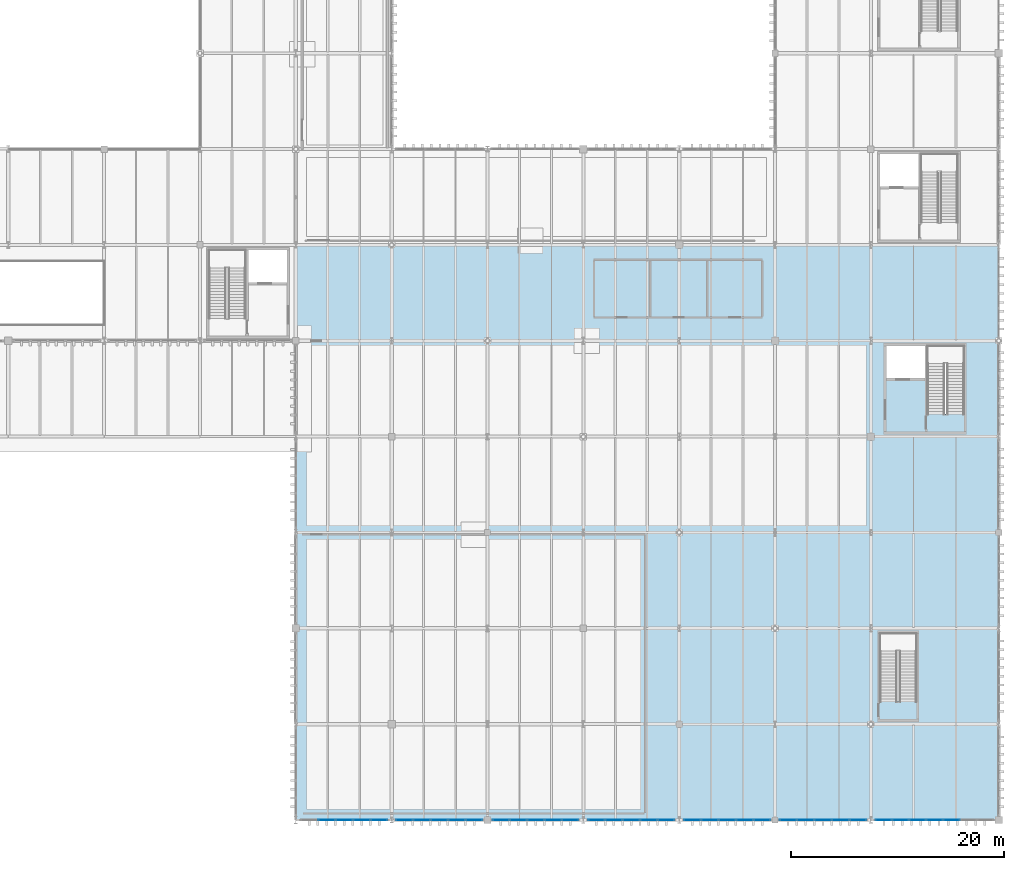
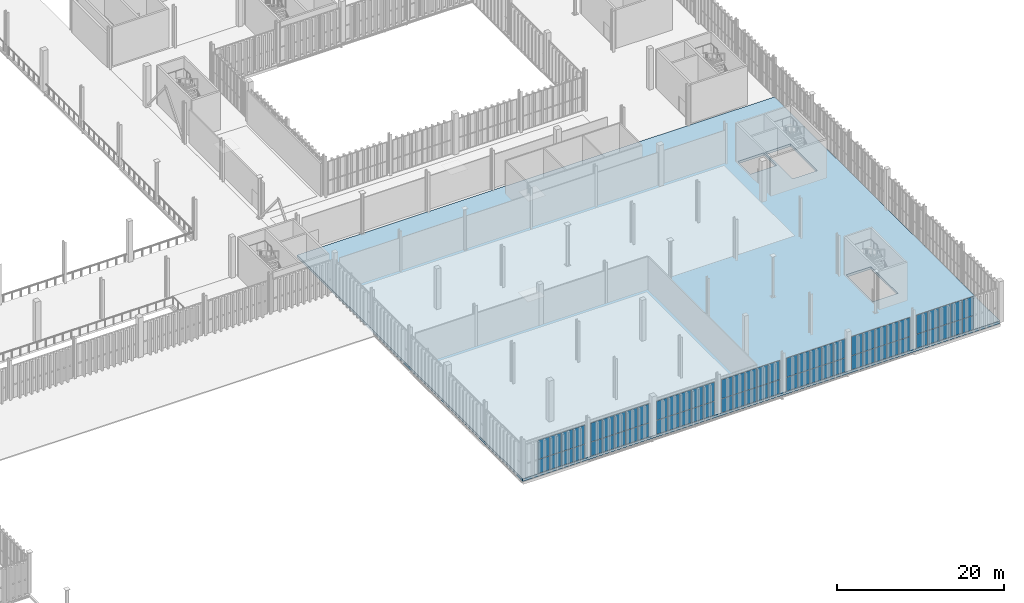
# One storey, part 160 of 211: 68 plates, 1 slab, 7 elements without a shape of their own.
"""IFC4 building model written with IfcOpenShell, lengths in metres."""

from ifc_helpers import new_model, si_unit, direction, frame, origin, origin_2d, place, context, subcontext, project, spatial, polyline, rectangle, outline, extrude, material, layer, layer_set, type_object, element, aggregate, save


model = new_model("IFC4")

# Units and contexts
model_context = context("Model", 3, precision=1e-05, world=origin(), true_north=direction((0.0, 1.0)))
body_context = subcontext(model_context, "Body", "Model", "MODEL_VIEW")
ifc_project = project(units=[si_unit("LENGTHUNIT", "METRE"), si_unit("AREAUNIT", "SQUARE_METRE"), si_unit("VOLUMEUNIT", "CUBIC_METRE"), si_unit("PLANEANGLEUNIT", "RADIAN"), si_unit("MASSUNIT", "GRAM", prefix="KILO")], contexts=[model_context])

# Site, building, storey
site_placement = place(None, origin())
site = spatial("IfcSite", under=ifc_project, at=site_placement, CompositionType="ELEMENT")
building_placement = place(site_placement, origin())
building = spatial("IfcBuilding", under=site, at=building_placement, Name="Barlavento Convention Centre", CompositionType="ELEMENT")
storey_placement = place(building_placement, frame((0.0, 0.0, 6.0)))
storey = spatial("IfcBuildingStorey", under=building, at=storey_placement, Name="L01", CompositionType="ELEMENT", Elevation=6.0)

# Curtain wall, plates
ifc_material_1 = material(Name="Powder-coated aluminium and Low-E glass", Category="aluminium")
ifc_layer_1 = layer(ifc_material_1, 0.18994140625)
ifc_layer_set_1 = layer_set([ifc_layer_1], Name="ARC-CW-BALL-L01")
curtain_wall_type = type_object("IfcCurtainWallType", Name="ARC-CW-BALL-L01", PredefinedType="NOTDEFINED", material=ifc_layer_set_1)
curtain_wall_1_placement = place(storey_placement, origin())
curtain_wall_1 = element("IfcCurtainWall", 1, at=curtain_wall_1_placement, inside=storey, type_object=curtain_wall_type, Name="L01 unitised curtain wall CW06", PredefinedType="NOTDEFINED")
ifc_material_2 = material(Name="Double-silver Low-E acoustic laminated glass", Category="glass")
ifc_layer_2 = layer(ifc_material_2, 0.031982421875)
ifc_layer_set_2 = layer_set([ifc_layer_2], Name="ARC-CWP-GLZ32")
plate_type = type_object("IfcPlateType", Name="ARC-CWP-GLZ32", PredefinedType="CURTAIN_PANEL", material=ifc_layer_set_2)
plate_1_placement = place(storey_placement, frame((128.89111328125, 0.0, 0.06494140625), z_axis=(0.0, 0.0, 1.0), x_axis=(1.0, 0.0, 0.0)))
plate_1 = element("IfcPlate", 2, at=plate_1_placement, type_object=plate_type, Name="CW06 panel 2.1", PredefinedType="CURTAIN_PANEL", context=body_context, shape_type="SweptSolid", body=[
    extrude(rectangle(XDim=1.57470703125, YDim=0.031982421875, at=origin_2d()), origin(), (0.0, 0.0, 1.0), 2.00244140625),
])
plate_2_placement = place(storey_placement, frame((128.89111328125, 0.0, 2.132568359375), z_axis=(0.0, 0.0, 1.0), x_axis=(1.0, 0.0, 0.0)))
plate_2 = element("IfcPlate", 3, at=plate_2_placement, type_object=plate_type, Name="CW06 panel 2.2", PredefinedType="CURTAIN_PANEL", context=body_context, shape_type="SweptSolid", body=[
    extrude(rectangle(XDim=1.57470703125, YDim=0.031982421875, at=origin_2d()), origin(), (0.0, 0.0, 1.0), 2.75244140625),
])
plate_3_placement = place(storey_placement, frame((130.535888671875, 0.0, 0.06494140625), z_axis=(0.0, 0.0, 1.0), x_axis=(1.0, 0.0, 0.0)))
plate_3 = element("IfcPlate", 4, at=plate_3_placement, type_object=plate_type, Name="CW06 panel 3.1", PredefinedType="CURTAIN_PANEL", context=body_context, shape_type="SweptSolid", body=[
    extrude(rectangle(XDim=1.57470703125, YDim=0.031982421875, at=origin_2d()), origin(), (0.0, 0.0, 1.0), 2.00244140625),
])
plate_4_placement = place(storey_placement, frame((130.535888671875, 0.0, 2.132568359375), z_axis=(0.0, 0.0, 1.0), x_axis=(1.0, 0.0, 0.0)))
plate_4 = element("IfcPlate", 5, at=plate_4_placement, type_object=plate_type, Name="CW06 panel 3.2", PredefinedType="CURTAIN_PANEL", context=body_context, shape_type="SweptSolid", body=[
    extrude(rectangle(XDim=1.57470703125, YDim=0.031982421875, at=origin_2d()), origin(), (0.0, 0.0, 1.0), 2.75244140625),
])
plate_5_placement = place(storey_placement, frame((132.180908203125, 0.0, 0.06494140625), z_axis=(0.0, 0.0, 1.0), x_axis=(1.0, 0.0, 0.0)))
plate_5 = element("IfcPlate", 6, at=plate_5_placement, type_object=plate_type, Name="CW06 panel 4.1", PredefinedType="CURTAIN_PANEL", context=body_context, shape_type="SweptSolid", body=[
    extrude(rectangle(XDim=1.57470703125, YDim=0.031982421875, at=origin_2d()), origin(), (0.0, 0.0, 1.0), 2.00244140625),
])
plate_6_placement = place(storey_placement, frame((132.180908203125, 0.0, 2.132568359375), z_axis=(0.0, 0.0, 1.0), x_axis=(1.0, 0.0, 0.0)))
plate_6 = element("IfcPlate", 7, at=plate_6_placement, type_object=plate_type, Name="CW06 panel 4.2", PredefinedType="CURTAIN_PANEL", context=body_context, shape_type="SweptSolid", body=[
    extrude(rectangle(XDim=1.57470703125, YDim=0.031982421875, at=origin_2d()), origin(), (0.0, 0.0, 1.0), 2.75244140625),
])
plate_7_placement = place(storey_placement, frame((133.80810546875, 0.0, 0.06494140625), z_axis=(0.0, 0.0, 1.0), x_axis=(1.0, 0.0, 0.0)))
plate_7 = element("IfcPlate", 8, at=plate_7_placement, type_object=plate_type, Name="CW06 panel 5.1", PredefinedType="CURTAIN_PANEL", context=body_context, shape_type="SweptSolid", body=[
    extrude(rectangle(XDim=1.539794921875, YDim=0.031982421875, at=origin_2d()), origin(), (0.0, 0.0, 1.0), 2.00244140625),
])
plate_8_placement = place(storey_placement, frame((133.80810546875, 0.0, 2.132568359375), z_axis=(0.0, 0.0, 1.0), x_axis=(1.0, 0.0, 0.0)))
plate_8 = element("IfcPlate", 9, at=plate_8_placement, type_object=plate_type, Name="CW06 panel 5.2", PredefinedType="CURTAIN_PANEL", context=body_context, shape_type="SweptSolid", body=[
    extrude(rectangle(XDim=1.539794921875, YDim=0.031982421875, at=origin_2d()), origin(), (0.0, 0.0, 1.0), 2.75244140625),
])
aggregate(curtain_wall_1, [plate_1, plate_2, plate_3, plate_4, plate_5, plate_6, plate_7, plate_8])

curtain_wall_2_placement = place(storey_placement, origin())
curtain_wall_2 = element("IfcCurtainWall", 10, at=curtain_wall_2_placement, inside=storey, type_object=curtain_wall_type, Name="L01 unitised curtain wall CW06", PredefinedType="NOTDEFINED")
plate_9_placement = place(storey_placement, frame((136.190185546875, 0.0, 0.06494140625), z_axis=(0.0, 0.0, 1.0), x_axis=(1.0, 0.0, 0.0)))
plate_9 = element("IfcPlate", 11, at=plate_9_placement, type_object=plate_type, Name="CW06 panel 1.1", PredefinedType="CURTAIN_PANEL", context=body_context, shape_type="SweptSolid", body=[
    extrude(rectangle(XDim=1.53662109375, YDim=0.031982421875, at=origin_2d()), origin(), (0.0, 0.0, 1.0), 2.00244140625),
])
plate_10_placement = place(storey_placement, frame((136.190185546875, 0.0, 2.132568359375), z_axis=(0.0, 0.0, 1.0), x_axis=(1.0, 0.0, 0.0)))
plate_10 = element("IfcPlate", 12, at=plate_10_placement, type_object=plate_type, Name="CW06 panel 1.2", PredefinedType="CURTAIN_PANEL", context=body_context, shape_type="SweptSolid", body=[
    extrude(rectangle(XDim=1.53662109375, YDim=0.031982421875, at=origin_2d()), origin(), (0.0, 0.0, 1.0), 2.75244140625),
])
plate_11_placement = place(storey_placement, frame((137.814453125, 0.0, 0.06494140625), z_axis=(0.0, 0.0, 1.0), x_axis=(1.0, 0.0, 0.0)))
plate_11 = element("IfcPlate", 13, at=plate_11_placement, type_object=plate_type, Name="CW06 panel 2.1", PredefinedType="CURTAIN_PANEL", context=body_context, shape_type="SweptSolid", body=[
    extrude(rectangle(XDim=1.571533203125, YDim=0.031982421875, at=origin_2d()), origin(), (0.0, 0.0, 1.0), 2.00244140625),
])
plate_12_placement = place(storey_placement, frame((137.814453125, 0.0, 2.132568359375), z_axis=(0.0, 0.0, 1.0), x_axis=(1.0, 0.0, 0.0)))
plate_12 = element("IfcPlate", 14, at=plate_12_placement, type_object=plate_type, Name="CW06 panel 2.2", PredefinedType="CURTAIN_PANEL", context=body_context, shape_type="SweptSolid", body=[
    extrude(rectangle(XDim=1.571533203125, YDim=0.031982421875, at=origin_2d()), origin(), (0.0, 0.0, 1.0), 2.75244140625),
])
plate_13_placement = place(storey_placement, frame((139.4560546875, 0.0, 0.06494140625), z_axis=(0.0, 0.0, 1.0), x_axis=(1.0, 0.0, 0.0)))
plate_13 = element("IfcPlate", 15, at=plate_13_placement, type_object=plate_type, Name="CW06 panel 3.1", PredefinedType="CURTAIN_PANEL", context=body_context, shape_type="SweptSolid", body=[
    extrude(rectangle(XDim=1.571533203125, YDim=0.031982421875, at=origin_2d()), origin(), (0.0, 0.0, 1.0), 2.00244140625),
])
plate_14_placement = place(storey_placement, frame((139.4560546875, 0.0, 2.132568359375), z_axis=(0.0, 0.0, 1.0), x_axis=(1.0, 0.0, 0.0)))
plate_14 = element("IfcPlate", 16, at=plate_14_placement, type_object=plate_type, Name="CW06 panel 3.2", PredefinedType="CURTAIN_PANEL", context=body_context, shape_type="SweptSolid", body=[
    extrude(rectangle(XDim=1.571533203125, YDim=0.031982421875, at=origin_2d()), origin(), (0.0, 0.0, 1.0), 2.75244140625),
])
plate_15_placement = place(storey_placement, frame((141.09765625, 0.0, 0.06494140625), z_axis=(0.0, 0.0, 1.0), x_axis=(1.0, 0.0, 0.0)))
plate_15 = element("IfcPlate", 17, at=plate_15_placement, type_object=plate_type, Name="CW06 panel 4.1", PredefinedType="CURTAIN_PANEL", context=body_context, shape_type="SweptSolid", body=[
    extrude(rectangle(XDim=1.571533203125, YDim=0.031982421875, at=origin_2d()), origin(), (0.0, 0.0, 1.0), 2.00244140625),
])
plate_16_placement = place(storey_placement, frame((141.09765625, 0.0, 2.132568359375), z_axis=(0.0, 0.0, 1.0), x_axis=(1.0, 0.0, 0.0)))
plate_16 = element("IfcPlate", 18, at=plate_16_placement, type_object=plate_type, Name="CW06 panel 4.2", PredefinedType="CURTAIN_PANEL", context=body_context, shape_type="SweptSolid", body=[
    extrude(rectangle(XDim=1.571533203125, YDim=0.031982421875, at=origin_2d()), origin(), (0.0, 0.0, 1.0), 2.75244140625),
])
plate_17_placement = place(storey_placement, frame((142.7216796875, 0.0, 0.06494140625), z_axis=(0.0, 0.0, 1.0), x_axis=(1.0, 0.0, 0.0)))
plate_17 = element("IfcPlate", 19, at=plate_17_placement, type_object=plate_type, Name="CW06 panel 5.1", PredefinedType="CURTAIN_PANEL", context=body_context, shape_type="SweptSolid", body=[
    extrude(rectangle(XDim=1.53662109375, YDim=0.031982421875, at=origin_2d()), origin(), (0.0, 0.0, 1.0), 2.00244140625),
])
plate_18_placement = place(storey_placement, frame((142.7216796875, 0.0, 2.132568359375), z_axis=(0.0, 0.0, 1.0), x_axis=(1.0, 0.0, 0.0)))
plate_18 = element("IfcPlate", 20, at=plate_18_placement, type_object=plate_type, Name="CW06 panel 5.2", PredefinedType="CURTAIN_PANEL", context=body_context, shape_type="SweptSolid", body=[
    extrude(rectangle(XDim=1.53662109375, YDim=0.031982421875, at=origin_2d()), origin(), (0.0, 0.0, 1.0), 2.75244140625),
])
aggregate(curtain_wall_2, [plate_9, plate_10, plate_11, plate_12, plate_13, plate_14, plate_15, plate_16, plate_17, plate_18])

curtain_wall_3_placement = place(storey_placement, origin())
curtain_wall_3 = element("IfcCurtainWall", 21, at=curtain_wall_3_placement, inside=storey, type_object=curtain_wall_type, Name="L01 unitised curtain wall CW06", PredefinedType="NOTDEFINED")
plate_19_placement = place(storey_placement, frame((145.2734375, 0.0, 0.06494140625), z_axis=(0.0, 0.0, 1.0), x_axis=(1.0, 0.0, 0.0)))
plate_19 = element("IfcPlate", 22, at=plate_19_placement, type_object=plate_type, Name="CW06 panel 1.1", PredefinedType="CURTAIN_PANEL", context=body_context, shape_type="SweptSolid", body=[
    extrude(rectangle(XDim=1.527099609375, YDim=0.031982421875, at=origin_2d()), origin(), (0.0, 0.0, 1.0), 2.00244140625),
])
plate_20_placement = place(storey_placement, frame((145.2734375, 0.0, 2.132568359375), z_axis=(0.0, 0.0, 1.0), x_axis=(1.0, 0.0, 0.0)))
plate_20 = element("IfcPlate", 23, at=plate_20_placement, type_object=plate_type, Name="CW06 panel 1.2", PredefinedType="CURTAIN_PANEL", context=body_context, shape_type="SweptSolid", body=[
    extrude(rectangle(XDim=1.527099609375, YDim=0.031982421875, at=origin_2d()), origin(), (0.0, 0.0, 1.0), 2.75244140625),
])
plate_21_placement = place(storey_placement, frame((146.887939453125, 0.0, 0.06494140625), z_axis=(0.0, 0.0, 1.0), x_axis=(1.0, 0.0, 0.0)))
plate_21 = element("IfcPlate", 24, at=plate_21_placement, type_object=plate_type, Name="CW06 panel 2.1", PredefinedType="CURTAIN_PANEL", context=body_context, shape_type="SweptSolid", body=[
    extrude(rectangle(XDim=1.56201171875, YDim=0.031982421875, at=origin_2d()), origin(), (0.0, 0.0, 1.0), 2.00244140625),
])
plate_22_placement = place(storey_placement, frame((146.887939453125, 0.0, 2.132568359375), z_axis=(0.0, 0.0, 1.0), x_axis=(1.0, 0.0, 0.0)))
plate_22 = element("IfcPlate", 25, at=plate_22_placement, type_object=plate_type, Name="CW06 panel 2.2", PredefinedType="CURTAIN_PANEL", context=body_context, shape_type="SweptSolid", body=[
    extrude(rectangle(XDim=1.56201171875, YDim=0.031982421875, at=origin_2d()), origin(), (0.0, 0.0, 1.0), 2.75244140625),
])
plate_23_placement = place(storey_placement, frame((148.52001953125, 0.0, 0.06494140625), z_axis=(0.0, 0.0, 1.0), x_axis=(1.0, 0.0, 0.0)))
plate_23 = element("IfcPlate", 26, at=plate_23_placement, type_object=plate_type, Name="CW06 panel 3.1", PredefinedType="CURTAIN_PANEL", context=body_context, shape_type="SweptSolid", body=[
    extrude(rectangle(XDim=1.56201171875, YDim=0.031982421875, at=origin_2d()), origin(), (0.0, 0.0, 1.0), 2.00244140625),
])
plate_24_placement = place(storey_placement, frame((148.52001953125, 0.0, 2.132568359375), z_axis=(0.0, 0.0, 1.0), x_axis=(1.0, 0.0, 0.0)))
plate_24 = element("IfcPlate", 27, at=plate_24_placement, type_object=plate_type, Name="CW06 panel 3.2", PredefinedType="CURTAIN_PANEL", context=body_context, shape_type="SweptSolid", body=[
    extrude(rectangle(XDim=1.56201171875, YDim=0.031982421875, at=origin_2d()), origin(), (0.0, 0.0, 1.0), 2.75244140625),
])
plate_25_placement = place(storey_placement, frame((150.152099609375, 0.0, 0.06494140625), z_axis=(0.0, 0.0, 1.0), x_axis=(1.0, 0.0, 0.0)))
plate_25 = element("IfcPlate", 28, at=plate_25_placement, type_object=plate_type, Name="CW06 panel 4.1", PredefinedType="CURTAIN_PANEL", context=body_context, shape_type="SweptSolid", body=[
    extrude(rectangle(XDim=1.56201171875, YDim=0.031982421875, at=origin_2d()), origin(), (0.0, 0.0, 1.0), 2.00244140625),
])
plate_26_placement = place(storey_placement, frame((150.152099609375, 0.0, 2.132568359375), z_axis=(0.0, 0.0, 1.0), x_axis=(1.0, 0.0, 0.0)))
plate_26 = element("IfcPlate", 29, at=plate_26_placement, type_object=plate_type, Name="CW06 panel 4.2", PredefinedType="CURTAIN_PANEL", context=body_context, shape_type="SweptSolid", body=[
    extrude(rectangle(XDim=1.56201171875, YDim=0.031982421875, at=origin_2d()), origin(), (0.0, 0.0, 1.0), 2.75244140625),
])
plate_27_placement = place(storey_placement, frame((151.7666015625, 0.0, 0.06494140625), z_axis=(0.0, 0.0, 1.0), x_axis=(1.0, 0.0, 0.0)))
plate_27 = element("IfcPlate", 30, at=plate_27_placement, type_object=plate_type, Name="CW06 panel 5.1", PredefinedType="CURTAIN_PANEL", context=body_context, shape_type="SweptSolid", body=[
    extrude(rectangle(XDim=1.527099609375, YDim=0.031982421875, at=origin_2d()), origin(), (0.0, 0.0, 1.0), 2.00244140625),
])
plate_28_placement = place(storey_placement, frame((151.7666015625, 0.0, 2.132568359375), z_axis=(0.0, 0.0, 1.0), x_axis=(1.0, 0.0, 0.0)))
plate_28 = element("IfcPlate", 31, at=plate_28_placement, type_object=plate_type, Name="CW06 panel 5.2", PredefinedType="CURTAIN_PANEL", context=body_context, shape_type="SweptSolid", body=[
    extrude(rectangle(XDim=1.527099609375, YDim=0.031982421875, at=origin_2d()), origin(), (0.0, 0.0, 1.0), 2.75244140625),
])
aggregate(curtain_wall_3, [plate_19, plate_20, plate_21, plate_22, plate_23, plate_24, plate_25, plate_26, plate_27, plate_28])

curtain_wall_4_placement = place(storey_placement, origin())
curtain_wall_4 = element("IfcCurtainWall", 32, at=curtain_wall_4_placement, inside=storey, type_object=curtain_wall_type, Name="L01 unitised curtain wall CW06", PredefinedType="NOTDEFINED")
plate_29_placement = place(storey_placement, frame((154.238525390625, 0.0, 0.06494140625), z_axis=(0.0, 0.0, 1.0), x_axis=(1.0, 0.0, 0.0)))
plate_29 = element("IfcPlate", 33, at=plate_29_placement, type_object=plate_type, Name="CW06 panel 1.1", PredefinedType="CURTAIN_PANEL", context=body_context, shape_type="SweptSolid", body=[
    extrude(rectangle(XDim=1.537109375, YDim=0.031982421875, at=origin_2d()), origin(), (0.0, 0.0, 1.0), 2.00244140625),
])
plate_30_placement = place(storey_placement, frame((154.238525390625, 0.0, 2.132568359375), z_axis=(0.0, 0.0, 1.0), x_axis=(1.0, 0.0, 0.0)))
plate_30 = element("IfcPlate", 34, at=plate_30_placement, type_object=plate_type, Name="CW06 panel 1.2", PredefinedType="CURTAIN_PANEL", context=body_context, shape_type="SweptSolid", body=[
    extrude(rectangle(XDim=1.537109375, YDim=0.031982421875, at=origin_2d()), origin(), (0.0, 0.0, 1.0), 2.75244140625),
])
plate_31_placement = place(storey_placement, frame((155.863037109375, 0.0, 0.06494140625), z_axis=(0.0, 0.0, 1.0), x_axis=(1.0, 0.0, 0.0)))
plate_31 = element("IfcPlate", 35, at=plate_31_placement, type_object=plate_type, Name="CW06 panel 2.1", PredefinedType="CURTAIN_PANEL", context=body_context, shape_type="SweptSolid", body=[
    extrude(rectangle(XDim=1.572021484375, YDim=0.031982421875, at=origin_2d()), origin(), (0.0, 0.0, 1.0), 2.00244140625),
])
plate_32_placement = place(storey_placement, frame((155.863037109375, 0.0, 2.132568359375), z_axis=(0.0, 0.0, 1.0), x_axis=(1.0, 0.0, 0.0)))
plate_32 = element("IfcPlate", 36, at=plate_32_placement, type_object=plate_type, Name="CW06 panel 2.2", PredefinedType="CURTAIN_PANEL", context=body_context, shape_type="SweptSolid", body=[
    extrude(rectangle(XDim=1.572021484375, YDim=0.031982421875, at=origin_2d()), origin(), (0.0, 0.0, 1.0), 2.75244140625),
])
plate_33_placement = place(storey_placement, frame((157.5048828125, 0.0, 0.06494140625), z_axis=(0.0, 0.0, 1.0), x_axis=(1.0, 0.0, 0.0)))
plate_33 = element("IfcPlate", 37, at=plate_33_placement, type_object=plate_type, Name="CW06 panel 3.1", PredefinedType="CURTAIN_PANEL", context=body_context, shape_type="SweptSolid", body=[
    extrude(rectangle(XDim=1.572021484375, YDim=0.031982421875, at=origin_2d()), origin(), (0.0, 0.0, 1.0), 2.00244140625),
])
plate_34_placement = place(storey_placement, frame((157.5048828125, 0.0, 2.132568359375), z_axis=(0.0, 0.0, 1.0), x_axis=(1.0, 0.0, 0.0)))
plate_34 = element("IfcPlate", 38, at=plate_34_placement, type_object=plate_type, Name="CW06 panel 3.2", PredefinedType="CURTAIN_PANEL", context=body_context, shape_type="SweptSolid", body=[
    extrude(rectangle(XDim=1.572021484375, YDim=0.031982421875, at=origin_2d()), origin(), (0.0, 0.0, 1.0), 2.75244140625),
])
plate_35_placement = place(storey_placement, frame((159.14697265625, 0.0, 0.06494140625), z_axis=(0.0, 0.0, 1.0), x_axis=(1.0, 0.0, 0.0)))
plate_35 = element("IfcPlate", 39, at=plate_35_placement, type_object=plate_type, Name="CW06 panel 4.1", PredefinedType="CURTAIN_PANEL", context=body_context, shape_type="SweptSolid", body=[
    extrude(rectangle(XDim=1.572021484375, YDim=0.031982421875, at=origin_2d()), origin(), (0.0, 0.0, 1.0), 2.00244140625),
])
plate_36_placement = place(storey_placement, frame((159.14697265625, 0.0, 2.132568359375), z_axis=(0.0, 0.0, 1.0), x_axis=(1.0, 0.0, 0.0)))
plate_36 = element("IfcPlate", 40, at=plate_36_placement, type_object=plate_type, Name="CW06 panel 4.2", PredefinedType="CURTAIN_PANEL", context=body_context, shape_type="SweptSolid", body=[
    extrude(rectangle(XDim=1.572021484375, YDim=0.031982421875, at=origin_2d()), origin(), (0.0, 0.0, 1.0), 2.75244140625),
])
plate_37_placement = place(storey_placement, frame((160.771484375, 0.0, 0.06494140625), z_axis=(0.0, 0.0, 1.0), x_axis=(1.0, 0.0, 0.0)))
plate_37 = element("IfcPlate", 41, at=plate_37_placement, type_object=plate_type, Name="CW06 panel 5.1", PredefinedType="CURTAIN_PANEL", context=body_context, shape_type="SweptSolid", body=[
    extrude(rectangle(XDim=1.537109375, YDim=0.031982421875, at=origin_2d()), origin(), (0.0, 0.0, 1.0), 2.00244140625),
])
plate_38_placement = place(storey_placement, frame((160.771484375, 0.0, 2.132568359375), z_axis=(0.0, 0.0, 1.0), x_axis=(1.0, 0.0, 0.0)))
plate_38 = element("IfcPlate", 42, at=plate_38_placement, type_object=plate_type, Name="CW06 panel 5.2", PredefinedType="CURTAIN_PANEL", context=body_context, shape_type="SweptSolid", body=[
    extrude(rectangle(XDim=1.537109375, YDim=0.031982421875, at=origin_2d()), origin(), (0.0, 0.0, 1.0), 2.75244140625),
])
aggregate(curtain_wall_4, [plate_29, plate_30, plate_31, plate_32, plate_33, plate_34, plate_35, plate_36, plate_37, plate_38])

curtain_wall_5_placement = place(storey_placement, origin())
curtain_wall_5 = element("IfcCurtainWall", 43, at=curtain_wall_5_placement, inside=storey, type_object=curtain_wall_type, Name="L01 unitised curtain wall CW06", PredefinedType="NOTDEFINED")
plate_39_placement = place(storey_placement, frame((163.2294921875, 0.0, 0.06494140625), z_axis=(0.0, 0.0, 1.0), x_axis=(1.0, 0.0, 0.0)))
plate_39 = element("IfcPlate", 44, at=plate_39_placement, type_object=plate_type, Name="CW06 panel 1.1", PredefinedType="CURTAIN_PANEL", context=body_context, shape_type="SweptSolid", body=[
    extrude(rectangle(XDim=1.5390625, YDim=0.031982421875, at=origin_2d()), origin(), (0.0, 0.0, 1.0), 2.00244140625),
])
plate_40_placement = place(storey_placement, frame((163.2294921875, 0.0, 2.132568359375), z_axis=(0.0, 0.0, 1.0), x_axis=(1.0, 0.0, 0.0)))
plate_40 = element("IfcPlate", 45, at=plate_40_placement, type_object=plate_type, Name="CW06 panel 1.2", PredefinedType="CURTAIN_PANEL", context=body_context, shape_type="SweptSolid", body=[
    extrude(rectangle(XDim=1.5390625, YDim=0.031982421875, at=origin_2d()), origin(), (0.0, 0.0, 1.0), 2.75244140625),
])
plate_41_placement = place(storey_placement, frame((164.85595703125, 0.0, 0.06494140625), z_axis=(0.0, 0.0, 1.0), x_axis=(1.0, 0.0, 0.0)))
plate_41 = element("IfcPlate", 46, at=plate_41_placement, type_object=plate_type, Name="CW06 panel 2.1", PredefinedType="CURTAIN_PANEL", context=body_context, shape_type="SweptSolid", body=[
    extrude(rectangle(XDim=1.573974609375, YDim=0.031982421875, at=origin_2d()), origin(), (0.0, 0.0, 1.0), 2.00244140625),
])
plate_42_placement = place(storey_placement, frame((164.85595703125, 0.0, 2.132568359375), z_axis=(0.0, 0.0, 1.0), x_axis=(1.0, 0.0, 0.0)))
plate_42 = element("IfcPlate", 47, at=plate_42_placement, type_object=plate_type, Name="CW06 panel 2.2", PredefinedType="CURTAIN_PANEL", context=body_context, shape_type="SweptSolid", body=[
    extrude(rectangle(XDim=1.573974609375, YDim=0.031982421875, at=origin_2d()), origin(), (0.0, 0.0, 1.0), 2.75244140625),
])
plate_43_placement = place(storey_placement, frame((166.5, 0.0, 0.06494140625), z_axis=(0.0, 0.0, 1.0), x_axis=(1.0, 0.0, 0.0)))
plate_43 = element("IfcPlate", 48, at=plate_43_placement, type_object=plate_type, Name="CW06 panel 3.1", PredefinedType="CURTAIN_PANEL", context=body_context, shape_type="SweptSolid", body=[
    extrude(rectangle(XDim=1.573974609375, YDim=0.031982421875, at=origin_2d()), origin(), (0.0, 0.0, 1.0), 2.00244140625),
])
plate_44_placement = place(storey_placement, frame((166.5, 0.0, 2.132568359375), z_axis=(0.0, 0.0, 1.0), x_axis=(1.0, 0.0, 0.0)))
plate_44 = element("IfcPlate", 49, at=plate_44_placement, type_object=plate_type, Name="CW06 panel 3.2", PredefinedType="CURTAIN_PANEL", context=body_context, shape_type="SweptSolid", body=[
    extrude(rectangle(XDim=1.573974609375, YDim=0.031982421875, at=origin_2d()), origin(), (0.0, 0.0, 1.0), 2.75244140625),
])
plate_45_placement = place(storey_placement, frame((168.14404296875, 0.0, 0.06494140625), z_axis=(0.0, 0.0, 1.0), x_axis=(1.0, 0.0, 0.0)))
plate_45 = element("IfcPlate", 50, at=plate_45_placement, type_object=plate_type, Name="CW06 panel 4.1", PredefinedType="CURTAIN_PANEL", context=body_context, shape_type="SweptSolid", body=[
    extrude(rectangle(XDim=1.573974609375, YDim=0.031982421875, at=origin_2d()), origin(), (0.0, 0.0, 1.0), 2.00244140625),
])
plate_46_placement = place(storey_placement, frame((168.14404296875, 0.0, 2.132568359375), z_axis=(0.0, 0.0, 1.0), x_axis=(1.0, 0.0, 0.0)))
plate_46 = element("IfcPlate", 51, at=plate_46_placement, type_object=plate_type, Name="CW06 panel 4.2", PredefinedType="CURTAIN_PANEL", context=body_context, shape_type="SweptSolid", body=[
    extrude(rectangle(XDim=1.573974609375, YDim=0.031982421875, at=origin_2d()), origin(), (0.0, 0.0, 1.0), 2.75244140625),
])
plate_47_placement = place(storey_placement, frame((169.7705078125, 0.0, 0.06494140625), z_axis=(0.0, 0.0, 1.0), x_axis=(1.0, 0.0, 0.0)))
plate_47 = element("IfcPlate", 52, at=plate_47_placement, type_object=plate_type, Name="CW06 panel 5.1", PredefinedType="CURTAIN_PANEL", context=body_context, shape_type="SweptSolid", body=[
    extrude(rectangle(XDim=1.5390625, YDim=0.031982421875, at=origin_2d()), origin(), (0.0, 0.0, 1.0), 2.00244140625),
])
plate_48_placement = place(storey_placement, frame((169.7705078125, 0.0, 2.132568359375), z_axis=(0.0, 0.0, 1.0), x_axis=(1.0, 0.0, 0.0)))
plate_48 = element("IfcPlate", 53, at=plate_48_placement, type_object=plate_type, Name="CW06 panel 5.2", PredefinedType="CURTAIN_PANEL", context=body_context, shape_type="SweptSolid", body=[
    extrude(rectangle(XDim=1.5390625, YDim=0.031982421875, at=origin_2d()), origin(), (0.0, 0.0, 1.0), 2.75244140625),
])
aggregate(curtain_wall_5, [plate_39, plate_40, plate_41, plate_42, plate_43, plate_44, plate_45, plate_46, plate_47, plate_48])

curtain_wall_6_placement = place(storey_placement, origin())
curtain_wall_6 = element("IfcCurtainWall", 54, at=curtain_wall_6_placement, inside=storey, type_object=curtain_wall_type, Name="L01 unitised curtain wall CW06", PredefinedType="NOTDEFINED")
plate_49_placement = place(storey_placement, frame((172.23095703125, 0.0, 0.06494140625), z_axis=(0.0, 0.0, 1.0), x_axis=(1.0, 0.0, 0.0)))
plate_49 = element("IfcPlate", 55, at=plate_49_placement, type_object=plate_type, Name="CW06 panel 1.1", PredefinedType="CURTAIN_PANEL", context=body_context, shape_type="SweptSolid", body=[
    extrude(rectangle(XDim=1.541748046875, YDim=0.031982421875, at=origin_2d()), origin(), (0.0, 0.0, 1.0), 2.00244140625),
])
plate_50_placement = place(storey_placement, frame((172.23095703125, 0.0, 2.132568359375), z_axis=(0.0, 0.0, 1.0), x_axis=(1.0, 0.0, 0.0)))
plate_50 = element("IfcPlate", 56, at=plate_50_placement, type_object=plate_type, Name="CW06 panel 1.2", PredefinedType="CURTAIN_PANEL", context=body_context, shape_type="SweptSolid", body=[
    extrude(rectangle(XDim=1.541748046875, YDim=0.031982421875, at=origin_2d()), origin(), (0.0, 0.0, 1.0), 2.75244140625),
])
plate_51_placement = place(storey_placement, frame((173.860107421875, 0.0, 0.06494140625), z_axis=(0.0, 0.0, 1.0), x_axis=(1.0, 0.0, 0.0)))
plate_51 = element("IfcPlate", 57, at=plate_51_placement, type_object=plate_type, Name="CW06 panel 2.1", PredefinedType="CURTAIN_PANEL", context=body_context, shape_type="SweptSolid", body=[
    extrude(rectangle(XDim=1.576904296875, YDim=0.031982421875, at=origin_2d()), origin(), (0.0, 0.0, 1.0), 2.00244140625),
])
plate_52_placement = place(storey_placement, frame((173.860107421875, 0.0, 2.132568359375), z_axis=(0.0, 0.0, 1.0), x_axis=(1.0, 0.0, 0.0)))
plate_52 = element("IfcPlate", 58, at=plate_52_placement, type_object=plate_type, Name="CW06 panel 2.2", PredefinedType="CURTAIN_PANEL", context=body_context, shape_type="SweptSolid", body=[
    extrude(rectangle(XDim=1.576904296875, YDim=0.031982421875, at=origin_2d()), origin(), (0.0, 0.0, 1.0), 2.75244140625),
])
plate_53_placement = place(storey_placement, frame((175.507080078125, 0.0, 0.06494140625), z_axis=(0.0, 0.0, 1.0), x_axis=(1.0, 0.0, 0.0)))
plate_53 = element("IfcPlate", 59, at=plate_53_placement, type_object=plate_type, Name="CW06 panel 3.1", PredefinedType="CURTAIN_PANEL", context=body_context, shape_type="SweptSolid", body=[
    extrude(rectangle(XDim=1.576904296875, YDim=0.031982421875, at=origin_2d()), origin(), (0.0, 0.0, 1.0), 2.00244140625),
])
plate_54_placement = place(storey_placement, frame((175.507080078125, 0.0, 2.132568359375), z_axis=(0.0, 0.0, 1.0), x_axis=(1.0, 0.0, 0.0)))
plate_54 = element("IfcPlate", 60, at=plate_54_placement, type_object=plate_type, Name="CW06 panel 3.2", PredefinedType="CURTAIN_PANEL", context=body_context, shape_type="SweptSolid", body=[
    extrude(rectangle(XDim=1.576904296875, YDim=0.031982421875, at=origin_2d()), origin(), (0.0, 0.0, 1.0), 2.75244140625),
])
plate_55_placement = place(storey_placement, frame((177.15380859375, 0.0, 0.06494140625), z_axis=(0.0, 0.0, 1.0), x_axis=(1.0, 0.0, 0.0)))
plate_55 = element("IfcPlate", 61, at=plate_55_placement, type_object=plate_type, Name="CW06 panel 4.1", PredefinedType="CURTAIN_PANEL", context=body_context, shape_type="SweptSolid", body=[
    extrude(rectangle(XDim=1.576904296875, YDim=0.031982421875, at=origin_2d()), origin(), (0.0, 0.0, 1.0), 2.00244140625),
])
plate_56_placement = place(storey_placement, frame((177.15380859375, 0.0, 2.132568359375), z_axis=(0.0, 0.0, 1.0), x_axis=(1.0, 0.0, 0.0)))
plate_56 = element("IfcPlate", 62, at=plate_56_placement, type_object=plate_type, Name="CW06 panel 4.2", PredefinedType="CURTAIN_PANEL", context=body_context, shape_type="SweptSolid", body=[
    extrude(rectangle(XDim=1.576904296875, YDim=0.031982421875, at=origin_2d()), origin(), (0.0, 0.0, 1.0), 2.75244140625),
])
plate_57_placement = place(storey_placement, frame((178.783203125, 0.0, 0.06494140625), z_axis=(0.0, 0.0, 1.0), x_axis=(1.0, 0.0, 0.0)))
plate_57 = element("IfcPlate", 63, at=plate_57_placement, type_object=plate_type, Name="CW06 panel 5.1", PredefinedType="CURTAIN_PANEL", context=body_context, shape_type="SweptSolid", body=[
    extrude(rectangle(XDim=1.541748046875, YDim=0.031982421875, at=origin_2d()), origin(), (0.0, 0.0, 1.0), 2.00244140625),
])
plate_58_placement = place(storey_placement, frame((178.783203125, 0.0, 2.132568359375), z_axis=(0.0, 0.0, 1.0), x_axis=(1.0, 0.0, 0.0)))
plate_58 = element("IfcPlate", 64, at=plate_58_placement, type_object=plate_type, Name="CW06 panel 5.2", PredefinedType="CURTAIN_PANEL", context=body_context, shape_type="SweptSolid", body=[
    extrude(rectangle(XDim=1.541748046875, YDim=0.031982421875, at=origin_2d()), origin(), (0.0, 0.0, 1.0), 2.75244140625),
])
aggregate(curtain_wall_6, [plate_49, plate_50, plate_51, plate_52, plate_53, plate_54, plate_55, plate_56, plate_57, plate_58])

curtain_wall_7_placement = place(storey_placement, origin())
curtain_wall_7 = element("IfcCurtainWall", 65, at=curtain_wall_7_placement, inside=storey, type_object=curtain_wall_type, Name="L01 unitised curtain wall CW06", PredefinedType="NOTDEFINED")
plate_59_placement = place(storey_placement, frame((181.1923828125, 0.0, 0.06494140625), z_axis=(0.0, 0.0, 1.0), x_axis=(1.0, 0.0, 0.0)))
plate_59 = element("IfcPlate", 66, at=plate_59_placement, type_object=plate_type, Name="CW06 panel 1.1", PredefinedType="CURTAIN_PANEL", context=body_context, shape_type="SweptSolid", body=[
    extrude(rectangle(XDim=1.49267578125, YDim=0.031982421875, at=origin_2d()), origin(), (0.0, 0.0, 1.0), 2.00244140625),
])
plate_60_placement = place(storey_placement, frame((181.1923828125, 0.0, 2.132568359375), z_axis=(0.0, 0.0, 1.0), x_axis=(1.0, 0.0, 0.0)))
plate_60 = element("IfcPlate", 67, at=plate_60_placement, type_object=plate_type, Name="CW06 panel 1.2", PredefinedType="CURTAIN_PANEL", context=body_context, shape_type="SweptSolid", body=[
    extrude(rectangle(XDim=1.49267578125, YDim=0.031982421875, at=origin_2d()), origin(), (0.0, 0.0, 1.0), 2.75244140625),
])
plate_61_placement = place(storey_placement, frame((182.7724609375, 0.0, 0.06494140625), z_axis=(0.0, 0.0, 1.0), x_axis=(1.0, 0.0, 0.0)))
plate_61 = element("IfcPlate", 68, at=plate_61_placement, type_object=plate_type, Name="CW06 panel 2.1", PredefinedType="CURTAIN_PANEL", context=body_context, shape_type="SweptSolid", body=[
    extrude(rectangle(XDim=1.52783203125, YDim=0.031982421875, at=origin_2d()), origin(), (0.0, 0.0, 1.0), 2.00244140625),
])
plate_62_placement = place(storey_placement, frame((182.7724609375, 0.0, 2.132568359375), z_axis=(0.0, 0.0, 1.0), x_axis=(1.0, 0.0, 0.0)))
plate_62 = element("IfcPlate", 69, at=plate_62_placement, type_object=plate_type, Name="CW06 panel 2.2", PredefinedType="CURTAIN_PANEL", context=body_context, shape_type="SweptSolid", body=[
    extrude(rectangle(XDim=1.52783203125, YDim=0.031982421875, at=origin_2d()), origin(), (0.0, 0.0, 1.0), 2.75244140625),
])
plate_63_placement = place(storey_placement, frame((184.370361328125, 0.0, 0.06494140625), z_axis=(0.0, 0.0, 1.0), x_axis=(1.0, 0.0, 0.0)))
plate_63 = element("IfcPlate", 70, at=plate_63_placement, type_object=plate_type, Name="CW06 panel 3.1", PredefinedType="CURTAIN_PANEL", context=body_context, shape_type="SweptSolid", body=[
    extrude(rectangle(XDim=1.52783203125, YDim=0.031982421875, at=origin_2d()), origin(), (0.0, 0.0, 1.0), 2.00244140625),
])
plate_64_placement = place(storey_placement, frame((184.370361328125, 0.0, 2.132568359375), z_axis=(0.0, 0.0, 1.0), x_axis=(1.0, 0.0, 0.0)))
plate_64 = element("IfcPlate", 71, at=plate_64_placement, type_object=plate_type, Name="CW06 panel 3.2", PredefinedType="CURTAIN_PANEL", context=body_context, shape_type="SweptSolid", body=[
    extrude(rectangle(XDim=1.52783203125, YDim=0.031982421875, at=origin_2d()), origin(), (0.0, 0.0, 1.0), 2.75244140625),
])
plate_65_placement = place(storey_placement, frame((185.968017578125, 0.0, 0.06494140625), z_axis=(0.0, 0.0, 1.0), x_axis=(1.0, 0.0, 0.0)))
plate_65 = element("IfcPlate", 72, at=plate_65_placement, type_object=plate_type, Name="CW06 panel 4.1", PredefinedType="CURTAIN_PANEL", context=body_context, shape_type="SweptSolid", body=[
    extrude(rectangle(XDim=1.52783203125, YDim=0.031982421875, at=origin_2d()), origin(), (0.0, 0.0, 1.0), 2.00244140625),
])
plate_66_placement = place(storey_placement, frame((185.968017578125, 0.0, 2.132568359375), z_axis=(0.0, 0.0, 1.0), x_axis=(1.0, 0.0, 0.0)))
plate_66 = element("IfcPlate", 73, at=plate_66_placement, type_object=plate_type, Name="CW06 panel 4.2", PredefinedType="CURTAIN_PANEL", context=body_context, shape_type="SweptSolid", body=[
    extrude(rectangle(XDim=1.52783203125, YDim=0.031982421875, at=origin_2d()), origin(), (0.0, 0.0, 1.0), 2.75244140625),
])
plate_67_placement = place(storey_placement, frame((187.565673828125, 0.0, 0.06494140625), z_axis=(0.0, 0.0, 1.0), x_axis=(1.0, 0.0, 0.0)))
plate_67 = element("IfcPlate", 74, at=plate_67_placement, type_object=plate_type, Name="CW06 panel 5.1", PredefinedType="CURTAIN_PANEL", context=body_context, shape_type="SweptSolid", body=[
    extrude(rectangle(XDim=1.52783203125, YDim=0.031982421875, at=origin_2d()), origin(), (0.0, 0.0, 1.0), 2.00244140625),
])
plate_68_placement = place(storey_placement, frame((187.565673828125, 0.0, 2.132568359375), z_axis=(0.0, 0.0, 1.0), x_axis=(1.0, 0.0, 0.0)))
plate_68 = element("IfcPlate", 75, at=plate_68_placement, type_object=plate_type, Name="CW06 panel 5.2", PredefinedType="CURTAIN_PANEL", context=body_context, shape_type="SweptSolid", body=[
    extrude(rectangle(XDim=1.52783203125, YDim=0.031982421875, at=origin_2d()), origin(), (0.0, 0.0, 1.0), 2.75244140625),
])
aggregate(curtain_wall_7, [plate_59, plate_60, plate_61, plate_62, plate_63, plate_64, plate_65, plate_66, plate_67, plate_68])

# Slab
ifc_material_3 = material(Name="Concrete C40/50", Category="concrete")
ifc_layer_3 = layer(ifc_material_3, 0.360107421875)
ifc_layer_set_3 = layer_set([ifc_layer_3], Name="STR-SLB-FLR-360")
slab_type = type_object("IfcSlabType", Name="STR-SLB-FLR-360", PredefinedType="FLOOR", material=ifc_layer_set_3)
slab_placement = place(storey_placement, frame((0.0, 0.0, -0.360107421875)))
element("IfcSlab", 76, at=slab_placement, inside=storey, type_object=slab_type, Name="L01 structural slab FS-103", PredefinedType="FLOOR", context=body_context, shape_type="SweptSolid", body=[
    extrude(outline(polyline([(126.0, 0.0), (192.0, 0.0), (192.0, 54.0), (126.0, 54.0), (126.0, 0.0)]), holes=[polyline([(188.75, 38.114990234375), (188.75, 44.530029296875), (185.31005859375, 44.530029296875), (185.31005859375, 38.114990234375), (188.75, 38.114990234375)]), polyline([(181.449951171875, 41.4951171875), (185.06005859375, 41.4951171875), (185.06005859375, 44.530029296875), (181.449951171875, 44.530029296875), (181.449951171875, 41.4951171875)]), polyline([(184.2900390625, 11.114990234375), (184.2900390625, 17.530029296875), (180.85009765625, 17.530029296875), (180.85009765625, 11.114990234375), (184.2900390625, 11.114990234375)])]), origin(), (0.0, 0.0, 1.0), 0.360107421875),
])

save(model, "model.ifc")
